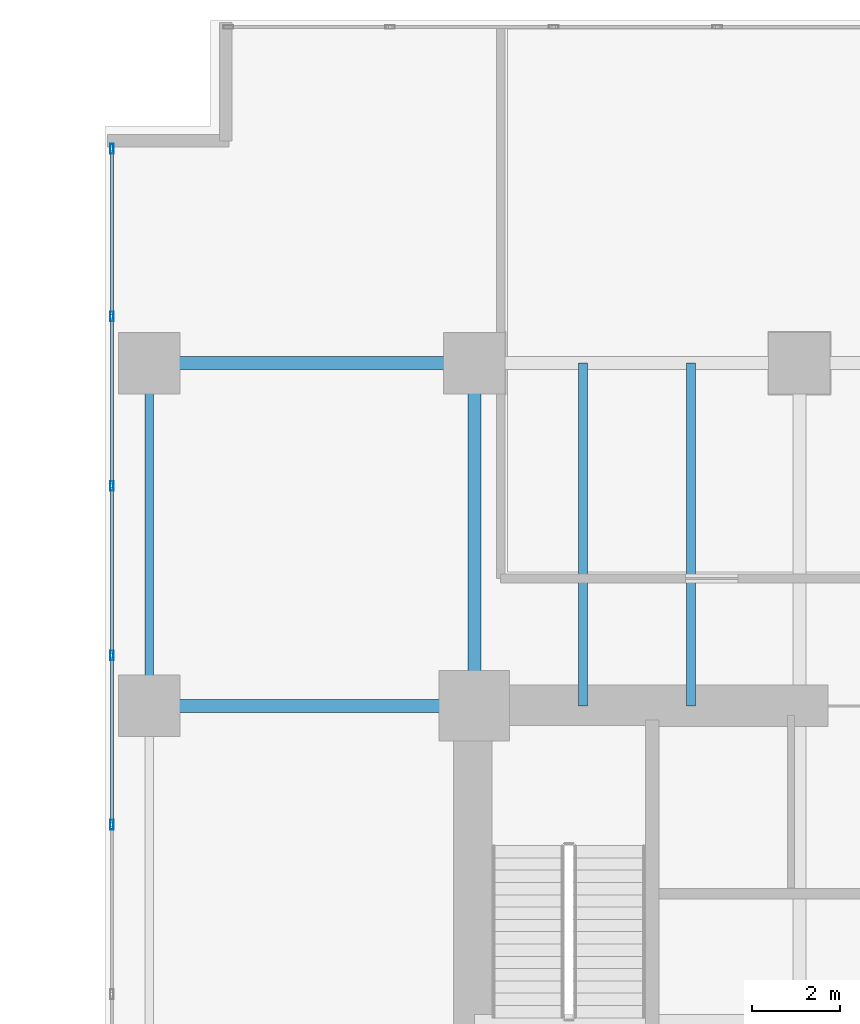
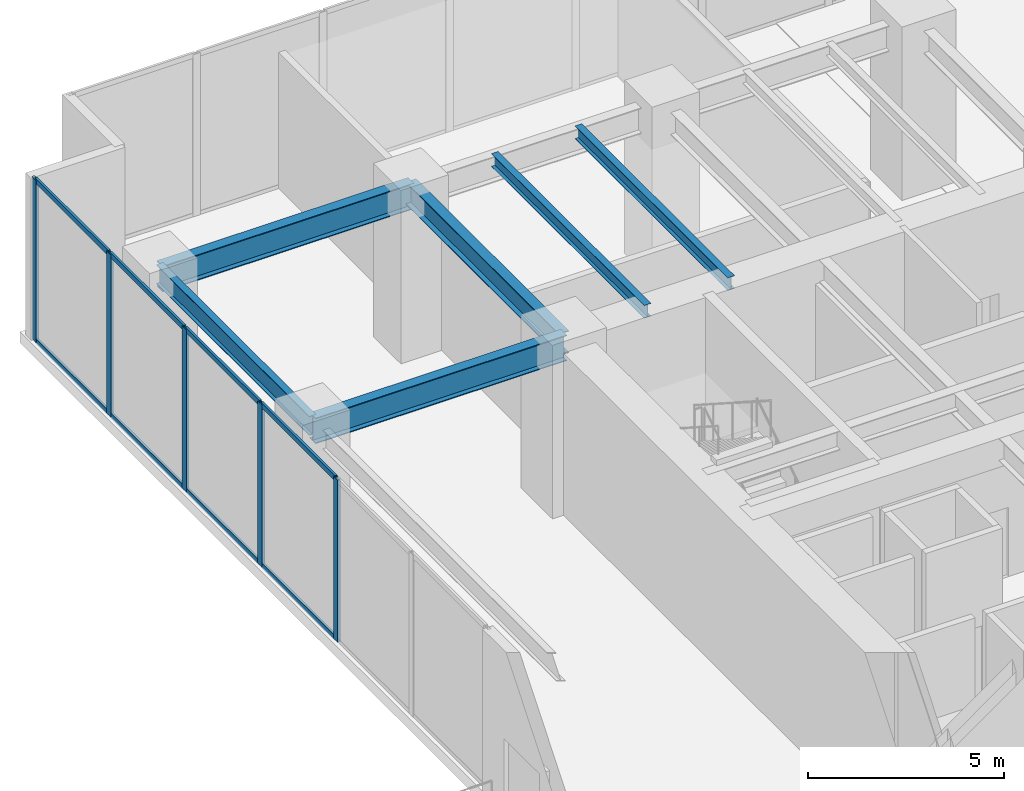
# One storey, part 9 of 28: 13 members, 6 beams, 1 element without a shape of its own.
"""IFC4 building model written with IfcOpenShell, lengths in metres."""

import ifcopenshell
import ifcopenshell.guid

model = None  # the IFC model being written
_history = None  # IfcOwnerHistory: only IFC2X3 demands one
_inside = {}  # id of a spatial element -> (the spatial element, [elements in it])
_under = {}  # id of a project, library or spatial element -> (it, [spatial elements below it])
_declared = {}  # id of a project -> (the project, [libraries it declares])
_typed = {}  # id of a type object -> (the type object, [elements of that type])
_made_of = {}  # id of a material, layer set ... -> (it, [elements and type objects made of it])


def new_model(schema):
    """Start an empty IFC model of exactly this schema.

    Asked for "IFC4X3", IfcOpenShell would pick the latest addendum, in which some entities
    have other attributes; the version numbers below select the first issue.
    IFC2X3 requires an IfcOwnerHistory on every rooted entity: one is made here for all.
    """
    global model, _history
    if schema == "IFC4X3":
        model = ifcopenshell.file(schema_version=(4, 3, 0, 0))
    else:
        model = ifcopenshell.file(schema=schema)
    _inside.clear()
    _under.clear()
    _declared.clear()
    _typed.clear()
    _made_of.clear()
    _history = None
    if model.schema == "IFC2X3":
        org = make("IfcOrganization", Name="unknown")
        user = make(
            "IfcPersonAndOrganization",
            ThePerson=make("IfcPerson", FamilyName="unknown"),
            TheOrganization=org,
        )
        app = make(
            "IfcApplication",
            ApplicationDeveloper=org,
            Version="unknown",
            ApplicationFullName="unknown",
            ApplicationIdentifier="unknown",
        )
        _history = make(
            "IfcOwnerHistory",
            OwningUser=user,
            OwningApplication=app,
            ChangeAction="ADDED",
            CreationDate=0,
        )
    return model


def make(cls, **values):
    """One entity of the class cls with the attributes given. An attribute that is None is left unset."""
    return model.create_entity(
        cls, **{name: value for name, value in values.items() if value is not None}
    )


def rooted(cls, **values):
    """An entity with a GlobalId (a new one), such as an element, a storey or a relation."""
    return make(cls, GlobalId=ifcopenshell.guid.new(), OwnerHistory=_history, **values)


def si_unit(unit_type, name, prefix=None):
    """IfcSIUnit, for example si_unit("LENGTHUNIT", "METRE", prefix="MILLI")."""
    return make("IfcSIUnit", UnitType=unit_type, Prefix=prefix, Name=name)


def assignment(units):
    """IfcUnitAssignment: the units of a project."""
    return None if units is None else make("IfcUnitAssignment", Units=units)


def point(xyz):
    """IfcCartesianPoint."""
    return None if xyz is None else make("IfcCartesianPoint", Coordinates=xyz)


def direction(xyz):
    """IfcDirection."""
    return None if xyz is None else make("IfcDirection", DirectionRatios=xyz)


def frame(location, z_axis=None, x_axis=None):
    """IfcAxis2Placement3D, a coordinate frame: its origin and axes. An axis left out is left unset."""
    return make(
        "IfcAxis2Placement3D",
        Location=point(location),
        Axis=direction(z_axis),
        RefDirection=direction(x_axis),
    )


def frame_2d(location, x_axis=None):
    """IfcAxis2Placement2D, a coordinate frame in the plane: its origin and x axis."""
    return make(
        "IfcAxis2Placement2D", Location=point(location), RefDirection=direction(x_axis)
    )


def origin():
    """The frame at (0, 0, 0) with its axes left unset."""
    return frame((0.0, 0.0, 0.0))


def origin_2d():
    """The frame at (0, 0) in the plane with its x axis left unset."""
    return frame_2d((0.0, 0.0))


def place(relative_to, where):
    """IfcLocalPlacement: puts the frame where relative to a parent placement (None: the world)."""
    return make(
        "IfcLocalPlacement", PlacementRelTo=relative_to, RelativePlacement=where
    )


def context(
    kind, dimensions, precision=None, world=None, true_north=None, identifier=None
):
    """IfcGeometricRepresentationContext, for example the 3D "Model" context."""
    return make(
        "IfcGeometricRepresentationContext",
        ContextIdentifier=identifier,
        ContextType=kind,
        CoordinateSpaceDimension=dimensions,
        Precision=precision,
        WorldCoordinateSystem=world,
        TrueNorth=true_north,
    )


def subcontext(parent, identifier, kind, view, scale=None):
    """IfcGeometricRepresentationSubContext, for example "Body" below "Model"."""
    return make(
        "IfcGeometricRepresentationSubContext",
        ContextIdentifier=identifier,
        ContextType=kind,
        ParentContext=parent,
        TargetScale=scale,
        TargetView=view,
    )


def project(units=None, contexts=None):
    """IfcProject with its units and contexts."""
    return rooted(
        "IfcProject",
        Name="project",
        RepresentationContexts=contexts,
        UnitsInContext=assignment(units),
    )


def spatial(cls, under=None, at=None, **own):
    """A site, building, storey or space (cls), placed at a placement, below another one or the project."""
    s = rooted(cls, ObjectPlacement=at, **own)
    if under is not None:
        _under.setdefault(under.id(), (under, []))[1].append(s)
    return s


def profile(cls, at=None, kind="AREA", **sizes):
    """A parametric profile (cls). Its sizes go by their IFC names, for example OverallWidth=200.0."""
    return make(cls, ProfileType=kind, Position=at, **sizes)


def hollow_rectangle(**sizes):
    """IfcRectangleHollowProfileDef."""
    return profile("IfcRectangleHollowProfileDef", **sizes)


def i_section(**sizes):
    """IfcIShapeProfileDef."""
    return profile("IfcIShapeProfileDef", **sizes)


def extrude(swept, where, along, depth):
    """IfcExtrudedAreaSolid: the profile swept, set in the frame where, extruded along a direction by depth."""
    return make(
        "IfcExtrudedAreaSolid",
        SweptArea=swept,
        Position=where,
        ExtrudedDirection=direction(along),
        Depth=depth,
    )


def shape(context_of_items, identifier, shape_type, items):
    """IfcShapeRepresentation: the items that make up one representation, for example the "Body"."""
    return make(
        "IfcShapeRepresentation",
        ContextOfItems=context_of_items,
        RepresentationIdentifier=identifier,
        RepresentationType=shape_type,
        Items=items,
    )


def source(mapping_origin, context_of_items, identifier, shape_type, items):
    """IfcRepresentationMap: a shape defined once, which mapped items show again and again."""
    return make(
        "IfcRepresentationMap",
        MappingOrigin=mapping_origin,
        MappedRepresentation=shape(context_of_items, identifier, shape_type, items),
    )


def transform(
    local_origin,
    x_axis=None,
    y_axis=None,
    z_axis=None,
    scale=None,
    scale2=None,
    scale3=None,
    uniform=True,
):
    """IfcCartesianTransformationOperator3D, or its non-uniform kind. x_axis, y_axis, z_axis: its Axis1, 2, 3."""
    if uniform:
        return make(
            "IfcCartesianTransformationOperator3D",
            Axis1=direction(x_axis),
            Axis2=direction(y_axis),
            LocalOrigin=point(local_origin),
            Scale=scale,
            Axis3=direction(z_axis),
        )
    return make(
        "IfcCartesianTransformationOperator3DnonUniform",
        Axis1=direction(x_axis),
        Axis2=direction(y_axis),
        LocalOrigin=point(local_origin),
        Scale=scale,
        Axis3=direction(z_axis),
        Scale2=scale2,
        Scale3=scale3,
    )


def mapped(mapping_source, mapping_target):
    """IfcMappedItem: shows the shape of a source again, moved by a transform."""
    return make(
        "IfcMappedItem", MappingSource=mapping_source, MappingTarget=mapping_target
    )


def material(Name=None, Category=None):
    """IfcMaterial."""
    return make("IfcMaterial", Name=Name, Category=Category)


def layer(
    of_material, thickness, ventilated=None, Name=None, Category=None, Priority=None
):
    """IfcMaterialLayer: one layer of a wall or slab, of a material (None: an air gap)."""
    return make(
        "IfcMaterialLayer",
        Material=of_material,
        LayerThickness=thickness,
        IsVentilated=ventilated,
        Name=Name,
        Category=Category,
        Priority=Priority,
    )


def layer_set(layers, Name=None):
    """IfcMaterialLayerSet."""
    return make("IfcMaterialLayerSet", MaterialLayers=layers, LayerSetName=Name)


def material_profile(
    of_material, cross_section, Name=None, Category=None, Priority=None
):
    """IfcMaterialProfile: a cross section and its material."""
    return make(
        "IfcMaterialProfile",
        Name=Name,
        Material=of_material,
        Profile=cross_section,
        Priority=Priority,
        Category=Category,
    )


def profile_set(profiles, Name=None, composite=None):
    """IfcMaterialProfileSet."""
    return make(
        "IfcMaterialProfileSet",
        Name=Name,
        MaterialProfiles=profiles,
        CompositeProfile=composite,
    )


def made_of(thing, what):
    """Note that an element or type object is made of a material, layer set ...; save() writes the relation."""
    if what is not None:
        _made_of.setdefault(what.id(), (what, []))[1].append(thing)
    return thing


def type_object(cls, material=None, **own):
    """A type object (cls), such as IfcWallType, which elements share."""
    return made_of(rooted(cls, **own), material)


def type_shapes(of_type, sources):
    """Give a type object the sources (RepresentationMaps) that its elements show as mapped items."""
    of_type.RepresentationMaps = sources


def element(
    cls,
    number,
    at=None,
    inside=None,
    cuts=None,
    type_object=None,
    material=None,
    context=None,
    identifier="Body",
    shape_type=None,
    held_by="IfcProductDefinitionShape",
    body=None,
    shapes=None,
    **own,
):
    """One element of the class cls, such as IfcWall. Its Tag is "e" and its number.

    at: its placement. inside: the storey or other place that contains it. cuts: it is an
    opening in that element (IfcRelVoidsElement). A single representation is given by context,
    identifier, shape_type and body (its items); several are given by shapes. held_by: the class
    of the entity that holds the representations. save() writes the other relations.
    """
    e = rooted(cls, Tag="e%d" % number, ObjectPlacement=at, **own)
    if body is not None:
        shapes = [shape(context, identifier, shape_type, body)]
    if shapes is not None:
        e.Representation = make(held_by, Representations=shapes)
    if inside is not None:
        _inside.setdefault(inside.id(), (inside, []))[1].append(e)
    if cuts is not None:
        rooted(
            "IfcRelVoidsElement", RelatingBuildingElement=cuts, RelatedOpeningElement=e
        )
    if type_object is not None:
        _typed.setdefault(type_object.id(), (type_object, []))[1].append(e)
    return made_of(e, material)


def aggregate(whole, parts):
    """IfcRelAggregates: a whole, such as a stair, and the parts it consists of."""
    return rooted("IfcRelAggregates", RelatingObject=whole, RelatedObjects=parts)


def save(model, path):
    """Write the relations noted so far, then the file.

    IfcRelAggregates (storeys below a building ...), IfcRelContainedInSpatialStructure (elements
    in a storey), IfcRelDefinesByType, IfcRelAssociatesMaterial and IfcRelDeclares: one each for
    every whole, place, type object, material and project.
    """
    for whole, parts in _under.values():
        aggregate(whole, parts)
    for where, things in _inside.values():
        rooted(
            "IfcRelContainedInSpatialStructure",
            RelatedElements=things,
            RelatingStructure=where,
        )
    for kind, things in _typed.values():
        rooted("IfcRelDefinesByType", RelatedObjects=things, RelatingType=kind)
    for what, things in _made_of.values():
        rooted("IfcRelAssociatesMaterial", RelatedObjects=things, RelatingMaterial=what)
    for by, libraries in _declared.values():
        rooted("IfcRelDeclares", RelatingContext=by, RelatedDefinitions=libraries)
    model.write(path)


model = new_model("IFC4")

# Units and contexts
model_context = context("Model", 3, precision=1e-05, world=origin(), true_north=direction((0.0, 1.0)))
body_context = subcontext(model_context, "Body", "Model", "MODEL_VIEW")
ifc_project = project(units=[si_unit("LENGTHUNIT", "METRE"), si_unit("AREAUNIT", "SQUARE_METRE"), si_unit("VOLUMEUNIT", "CUBIC_METRE"), si_unit("PLANEANGLEUNIT", "RADIAN"), si_unit("MASSUNIT", "GRAM", prefix="KILO")], contexts=[model_context])

# Site, building, storey
site_placement = place(None, origin())
site = spatial("IfcSite", under=ifc_project, at=site_placement, CompositionType="ELEMENT")
building_placement = place(site_placement, origin())
building = spatial("IfcBuilding", under=site, at=building_placement, Name="Haelvirn Gate Laboratories", CompositionType="ELEMENT")
storey_placement = place(building_placement, origin())
storey = spatial("IfcBuildingStorey", under=building, at=storey_placement, Name="L01", CompositionType="ELEMENT", Elevation=0.0)

# Beams
ifc_material_1 = material(Name="Steel SM420", Category="steel")
ifc_material_profile_1 = material_profile(ifc_material_1, i_section(OverallWidth=0.300048828125, OverallDepth=0.800048828125, WebThickness=0.013916015625, FlangeThickness=0.02587890625, at=origin_2d()), Name="H-800x300x14x26")
ifc_profile_set_1 = profile_set([ifc_material_profile_1], Name="Steel SM420")
beam_type_1 = type_object("IfcBeamType", Name="BM-G-800", PredefinedType="BEAM", material=ifc_profile_set_1)
shared_shape_1 = source(origin(), body_context, "Body", "SweptSolid", [
    extrude(i_section(OverallWidth=0.300048828125, OverallDepth=0.800048828125, WebThickness=0.013916015625, FlangeThickness=0.02587890625, at=origin_2d()), origin(), (0.0, 0.0, 1.0), 7.39990234375),
])
type_shapes(beam_type_1, [shared_shape_1])
for number, where, z_axis, x_axis, name in (
    (1, (0.0, 33.800048828125, 4.64990234375), (1.0, 0.0, 0.0), (0.0, 1.0, 0.0), "L01 Primary Girder Y33.8 (0.0-7.4)"),
    (2, (0.0, 41.60009765625, 4.64990234375), (1.0, 0.0, 0.0), (0.0, 1.0, 0.0), "L01 Primary Girder Y41.6 (0.0-7.4)"),
):
    element("IfcBeam", number, at=place(storey_placement, frame(where, z_axis=z_axis, x_axis=x_axis)), inside=storey, type_object=beam_type_1, Name=name, PredefinedType="BEAM", context=body_context, shape_type="MappedRepresentation", body=[
        mapped(shared_shape_1, transform((0.0, 0.0, 0.0), scale=1.0)),
    ])
ifc_material_2 = material(Name="Steel SM355", Category="steel")
ifc_material_profile_2 = material_profile(ifc_material_2, i_section(OverallWidth=0.199951171875, OverallDepth=0.60009765625, WebThickness=0.010986328125, FlangeThickness=0.01708984375, at=origin_2d()), Name="H-600x200x11x17")
ifc_profile_set_2 = profile_set([ifc_material_profile_2], Name="Steel SM355")
beam_type_2 = type_object("IfcBeamType", Name="BM-SP-600", PredefinedType="SPANDREL", material=ifc_profile_set_2)
shared_shape_2 = source(origin(), body_context, "Body", "SweptSolid", [
    extrude(i_section(OverallWidth=0.199951171875, OverallDepth=0.60009765625, WebThickness=0.010986328125, FlangeThickness=0.01708984375, at=origin_2d()), origin(), (0.0, 0.0, 1.0), 7.800048828125),
])
type_shapes(beam_type_2, [shared_shape_2])
beam_1_placement = place(storey_placement, frame((0.0, 33.800048828125, 4.75), z_axis=(0.0, 1.0, 0.0), x_axis=(-1.0, 0.0, 0.0)))
element("IfcBeam", 3, at=beam_1_placement, inside=storey, type_object=beam_type_2, Name="L01 Perimeter Spandrel X0.0 (33.8-41.6)", PredefinedType="SPANDREL", context=body_context, shape_type="MappedRepresentation", body=[
    mapped(shared_shape_2, transform((0.0, 0.0, 0.0), scale=1.0)),
])
ifc_material_profile_3 = material_profile(ifc_material_2, i_section(OverallWidth=0.199951171875, OverallDepth=0.39990234375, WebThickness=0.008056640625, FlangeThickness=0.012939453125, at=origin_2d()), Name="H-400x200x8x13")
ifc_profile_set_3 = profile_set([ifc_material_profile_3], Name="Steel SM355")
beam_type_3 = type_object("IfcBeamType", Name="BM-J-400", PredefinedType="JOIST", material=ifc_profile_set_3)
shared_shape_3 = source(origin(), body_context, "Body", "SweptSolid", [
    extrude(i_section(OverallWidth=0.199951171875, OverallDepth=0.39990234375, WebThickness=0.008056640625, FlangeThickness=0.012939453125, at=origin_2d()), origin(), (0.0, 0.0, 1.0), 7.800048828125),
])
type_shapes(beam_type_3, [shared_shape_3])
for number, where, z_axis, x_axis, name in (
    (4, (9.8701171875, 33.800048828125, 4.85009765625), (0.0, 1.0, 0.0), (-1.0, 0.0, 0.0), "L01 Composite Lab Joist North X9.87"),
    (5, (12.330078125, 33.800048828125, 4.85009765625), (0.0, 1.0, 0.0), (-1.0, 0.0, 0.0), "L01 Composite Lab Joist North X12.33"),
):
    element("IfcBeam", number, at=place(storey_placement, frame(where, z_axis=z_axis, x_axis=x_axis)), inside=storey, type_object=beam_type_3, Name=name, PredefinedType="JOIST", context=body_context, shape_type="MappedRepresentation", body=[
        mapped(shared_shape_3, transform((0.0, 0.0, 0.0), scale=1.0)),
    ])
ifc_material_profile_4 = material_profile(ifc_material_2, i_section(OverallWidth=0.300048828125, OverallDepth=0.699951171875, WebThickness=0.012939453125, FlangeThickness=0.02392578125, at=origin_2d()), Name="H-700x300x13x24")
ifc_profile_set_4 = profile_set([ifc_material_profile_4], Name="Steel SM355")
beam_type_4 = type_object("IfcBeamType", Name="BM-G-700", PredefinedType="BEAM", material=ifc_profile_set_4)
shared_shape_4 = source(origin(), body_context, "Body", "SweptSolid", [
    extrude(i_section(OverallWidth=0.300048828125, OverallDepth=0.699951171875, WebThickness=0.012939453125, FlangeThickness=0.02392578125, at=origin_2d()), origin(), (0.0, 0.0, 1.0), 7.800048828125),
])
type_shapes(beam_type_4, [shared_shape_4])
beam_2_placement = place(storey_placement, frame((7.39990234375, 33.800048828125, 4.699951171875), z_axis=(0.0, 1.0, 0.0), x_axis=(-1.0, 0.0, 0.0)))
element("IfcBeam", 6, at=beam_2_placement, inside=storey, type_object=beam_type_4, Name="L01 Frame Girder X7.4 (33.8-41.6)", PredefinedType="BEAM", context=body_context, shape_type="MappedRepresentation", body=[
    mapped(shared_shape_4, transform((0.0, 0.0, 0.0), scale=1.0)),
])

# Curtain wall, members
ifc_material_3 = material(Name="Anodised bronze unitised aluminium & triple low-E glass", Category="aluminium")
ifc_layer = layer(ifc_material_3, 0.18798828125, Name="CW-SYS-1")
ifc_layer_set = layer_set([ifc_layer], Name="Anodised bronze unitised aluminium & triple low-E glass")
curtain_wall_type = type_object("IfcCurtainWallType", Name="CW-SYS-1", PredefinedType="NOTDEFINED", material=ifc_layer_set)
curtain_wall_placement = place(storey_placement, origin())
curtain_wall = element("IfcCurtainWall", 7, at=curtain_wall_placement, inside=storey, type_object=curtain_wall_type, Name="L01 Unitised Curtain Wall CW-L01-WN", PredefinedType="NOTDEFINED")
ifc_material_4 = material(Name="Extruded aluminium 6063-T6 (anodised bronze)", Category="aluminium")
ifc_material_profile_5 = material_profile(ifc_material_4, hollow_rectangle(XDim=0.080078125, YDim=0.219970703125, WallThickness=0.006103515625, at=origin_2d()), Name="CWM-220x80x6")
ifc_profile_set_5 = profile_set([ifc_material_profile_5], Name="Extruded aluminium 6063-T6 (anodised bronze)")
member_type_1 = type_object("IfcMemberType", Name="CWM-T220", PredefinedType="MULLION", material=ifc_profile_set_5)
shared_shape_5 = source(origin(), body_context, "Body", "SweptSolid", [
    extrude(hollow_rectangle(XDim=0.080078125, YDim=0.219970703125, WallThickness=0.006103515625, at=origin_2d()), origin(), (0.0, 0.0, 1.0), 5.050048828125),
])
type_shapes(member_type_1, [shared_shape_5])
member_1_placement = place(storey_placement, frame((-0.85009765625, 31.09326171875, 0.0), z_axis=(0.0, 0.0, 1.0), x_axis=(-1.0, 0.0, 0.0)))
member_1 = element("IfcMember", 8, at=member_1_placement, type_object=member_type_1, Name="CW1 mullion 3", PredefinedType="MULLION", context=body_context, shape_type="MappedRepresentation", body=[
    mapped(shared_shape_5, transform((0.0, 0.0, 0.0), scale=1.0)),
])
member_2_placement = place(storey_placement, frame((-0.85009765625, 34.949951171875, 0.0), z_axis=(0.0, 0.0, 1.0), x_axis=(-1.0, 0.0, 0.0)))
member_2 = element("IfcMember", 9, at=member_2_placement, type_object=member_type_1, Name="CW1 mullion 4", PredefinedType="MULLION", context=body_context, shape_type="MappedRepresentation", body=[
    mapped(shared_shape_5, transform((0.0, 0.0, 0.0), scale=1.0)),
])
member_3_placement = place(storey_placement, frame((-0.85009765625, 38.806640625, 0.0), z_axis=(0.0, 0.0, 1.0), x_axis=(-1.0, 0.0, 0.0)))
member_3 = element("IfcMember", 10, at=member_3_placement, type_object=member_type_1, Name="CW1 mullion 5", PredefinedType="MULLION", context=body_context, shape_type="MappedRepresentation", body=[
    mapped(shared_shape_5, transform((0.0, 0.0, 0.0), scale=1.0)),
])
member_4_placement = place(storey_placement, frame((-0.85009765625, 42.663330078125, 0.0), z_axis=(0.0, 0.0, 1.0), x_axis=(-1.0, 0.0, 0.0)))
member_4 = element("IfcMember", 11, at=member_4_placement, type_object=member_type_1, Name="CW1 mullion 6", PredefinedType="MULLION", context=body_context, shape_type="MappedRepresentation", body=[
    mapped(shared_shape_5, transform((0.0, 0.0, 0.0), scale=1.0)),
])
member_5_placement = place(storey_placement, frame((-0.85009765625, 46.47998046875, 0.0), z_axis=(0.0, 0.0, 1.0), x_axis=(-1.0, 0.0, 0.0)))
member_5 = element("IfcMember", 12, at=member_5_placement, type_object=member_type_1, Name="CW1 mullion 7", PredefinedType="MULLION", context=body_context, shape_type="MappedRepresentation", body=[
    mapped(shared_shape_5, transform((0.0, 0.0, 0.0), scale=1.0)),
])
ifc_material_profile_6 = material_profile(ifc_material_4, hollow_rectangle(XDim=0.070068359375, YDim=0.159912109375, WallThickness=0.0048828125, at=origin_2d()), Name="CWT-160x70x5")
ifc_profile_set_6 = profile_set([ifc_material_profile_6], Name="Extruded aluminium 6063-T6 (anodised bronze)")
member_type_2 = type_object("IfcMemberType", Name="CWT-T160", PredefinedType="USERDEFINED", material=ifc_profile_set_6)
shared_shape_6 = source(origin(), body_context, "Body", "SweptSolid", [
    extrude(hollow_rectangle(XDim=0.070068359375, YDim=0.159912109375, WallThickness=0.0048828125, at=origin_2d()), origin(), (0.0, 0.0, 1.0), 3.776611328125),
])
member_6_placement = place(storey_placement, frame((-0.85009765625, 31.13330078125, 0.034912109375), z_axis=(0.0, 1.0, 0.0), x_axis=(-1.0, 0.0, 0.0)))
member_6 = element("IfcMember", 13, at=member_6_placement, type_object=member_type_2, Name="CW1 transom 3.1", ObjectType="TRANSOM", PredefinedType="USERDEFINED", context=body_context, shape_type="MappedRepresentation", body=[
    mapped(shared_shape_6, transform((0.0, 0.0, 0.0), scale=1.0)),
])
member_7_placement = place(storey_placement, frame((-0.85009765625, 31.13330078125, 5.014892578125), z_axis=(0.0, 1.0, 0.0), x_axis=(-1.0, 0.0, 0.0)))
member_7 = element("IfcMember", 14, at=member_7_placement, type_object=member_type_2, Name="CW1 transom 3.2", ObjectType="TRANSOM", PredefinedType="USERDEFINED", context=body_context, shape_type="MappedRepresentation", body=[
    mapped(shared_shape_6, transform((0.0, 0.0, 0.0), scale=1.0)),
])
member_8_placement = place(storey_placement, frame((-0.85009765625, 34.989990234375, 0.034912109375), z_axis=(0.0, 1.0, 0.0), x_axis=(-1.0, 0.0, 0.0)))
member_8 = element("IfcMember", 15, at=member_8_placement, type_object=member_type_2, Name="CW1 transom 4.1", ObjectType="TRANSOM", PredefinedType="USERDEFINED", context=body_context, shape_type="MappedRepresentation", body=[
    mapped(shared_shape_6, transform((0.0, 0.0, 0.0), scale=1.0)),
])
member_9_placement = place(storey_placement, frame((-0.85009765625, 34.989990234375, 5.014892578125), z_axis=(0.0, 1.0, 0.0), x_axis=(-1.0, 0.0, 0.0)))
member_9 = element("IfcMember", 16, at=member_9_placement, type_object=member_type_2, Name="CW1 transom 4.2", ObjectType="TRANSOM", PredefinedType="USERDEFINED", context=body_context, shape_type="MappedRepresentation", body=[
    mapped(shared_shape_6, transform((0.0, 0.0, 0.0), scale=1.0)),
])
member_10_placement = place(storey_placement, frame((-0.85009765625, 38.8466796875, 0.034912109375), z_axis=(0.0, 1.0, 0.0), x_axis=(-1.0, 0.0, 0.0)))
member_10 = element("IfcMember", 17, at=member_10_placement, type_object=member_type_2, Name="CW1 transom 5.1", ObjectType="TRANSOM", PredefinedType="USERDEFINED", context=body_context, shape_type="MappedRepresentation", body=[
    mapped(shared_shape_6, transform((0.0, 0.0, 0.0), scale=1.0)),
])
member_11_placement = place(storey_placement, frame((-0.85009765625, 38.8466796875, 5.014892578125), z_axis=(0.0, 1.0, 0.0), x_axis=(-1.0, 0.0, 0.0)))
member_11 = element("IfcMember", 18, at=member_11_placement, type_object=member_type_2, Name="CW1 transom 5.2", ObjectType="TRANSOM", PredefinedType="USERDEFINED", context=body_context, shape_type="MappedRepresentation", body=[
    mapped(shared_shape_6, transform((0.0, 0.0, 0.0), scale=1.0)),
])
shared_shape_7 = source(origin(), body_context, "Body", "SweptSolid", [
    extrude(hollow_rectangle(XDim=0.070068359375, YDim=0.159912109375, WallThickness=0.0048828125, at=origin_2d()), origin(), (0.0, 0.0, 1.0), 3.736572265625),
])
type_shapes(member_type_2, [shared_shape_6, shared_shape_7])
member_12_placement = place(storey_placement, frame((-0.85009765625, 42.703369140625, 0.034912109375), z_axis=(0.0, 1.0, 0.0), x_axis=(-1.0, 0.0, 0.0)))
member_12 = element("IfcMember", 19, at=member_12_placement, type_object=member_type_2, Name="CW1 transom 6.1", ObjectType="TRANSOM", PredefinedType="USERDEFINED", context=body_context, shape_type="MappedRepresentation", body=[
    mapped(shared_shape_7, transform((0.0, 0.0, 0.0), scale=1.0)),
])
member_13_placement = place(storey_placement, frame((-0.85009765625, 42.703369140625, 5.014892578125), z_axis=(0.0, 1.0, 0.0), x_axis=(-1.0, 0.0, 0.0)))
member_13 = element("IfcMember", 20, at=member_13_placement, type_object=member_type_2, Name="CW1 transom 6.2", ObjectType="TRANSOM", PredefinedType="USERDEFINED", context=body_context, shape_type="MappedRepresentation", body=[
    mapped(shared_shape_7, transform((0.0, 0.0, 0.0), scale=1.0)),
])
aggregate(curtain_wall, [member_1, member_2, member_3, member_4, member_5, member_6, member_7, member_8, member_9, member_10, member_11, member_12, member_13])

save(model, "model.ifc")
